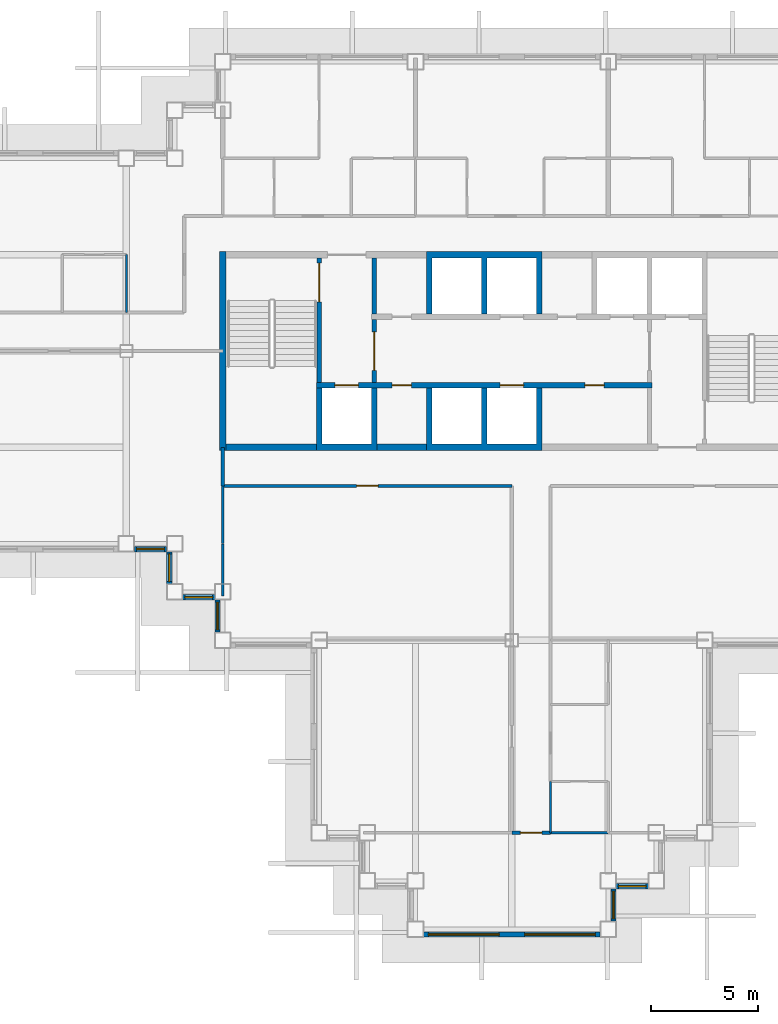
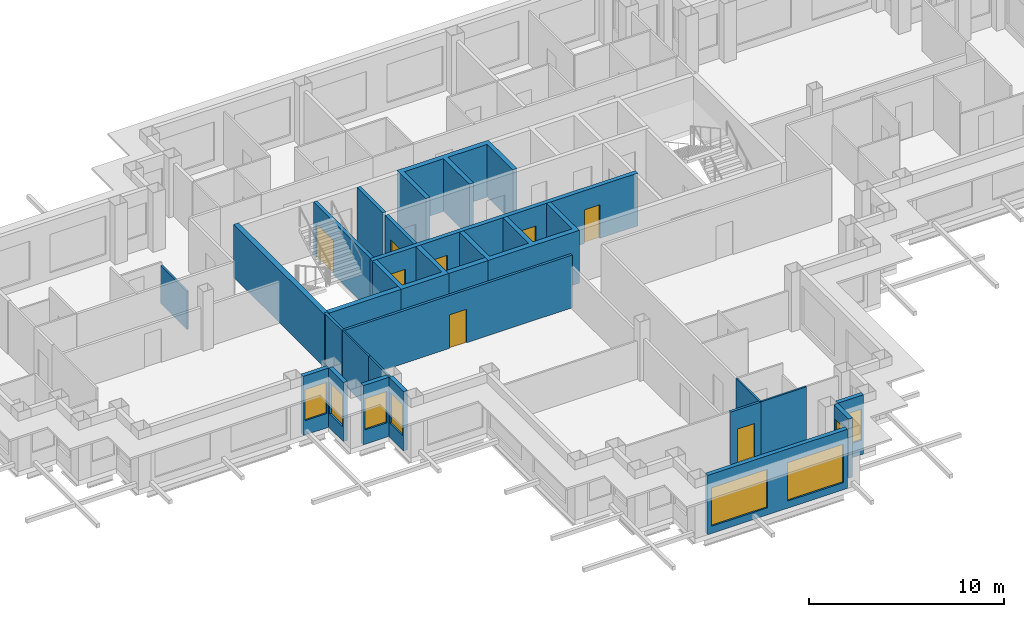
# One storey, part 4 of 14: 25 walls, 8 doors, 8 windows, 16 openings.
"""IFC4 building model written with IfcOpenShell, lengths in metres."""

from ifc_helpers import new_model, si_unit, direction, frame, frame_2d, origin, place, context, subcontext, project, spatial, polyline, rectangle, outline, extrude, material, layer, layer_set, type_object, element, fill, save


model = new_model("IFC4")

# Units and contexts
model_context = context("Model", 3, precision=1e-05, world=origin(), true_north=direction((0.0, 1.0)))
body_context = subcontext(model_context, "Body", "Model", "MODEL_VIEW")
ifc_project = project(units=[si_unit("LENGTHUNIT", "METRE"), si_unit("AREAUNIT", "SQUARE_METRE"), si_unit("VOLUMEUNIT", "CUBIC_METRE"), si_unit("PLANEANGLEUNIT", "RADIAN"), si_unit("MASSUNIT", "GRAM", prefix="KILO")], contexts=[model_context])

# Site, building, storey
site_placement = place(None, origin())
site = spatial("IfcSite", under=ifc_project, at=site_placement, CompositionType="ELEMENT")
building_placement = place(site_placement, origin())
building = spatial("IfcBuilding", under=site, at=building_placement, Name="Caravel Reach Hotel and Residences", CompositionType="ELEMENT")
storey_placement = place(building_placement, frame((0.0, 0.0, 183.89990234375)))
storey = spatial("IfcBuildingStorey", under=building, at=storey_placement, Name="L46", CompositionType="ELEMENT", Elevation=183.89990234375)

# Walls
ifc_material_1 = material(Name="Gypsum board on steel stud", Category="steel")
ifc_layer_1 = layer(ifc_material_1, 0.10009765625)
ifc_layer_set_1 = layer_set([ifc_layer_1], Name="Bathroom pod wall 100 mm")
wall_type_1 = type_object("IfcWallType", Name="Bathroom pod wall 100 mm", PredefinedType="PARTITIONING", material=ifc_layer_set_1)
wall_1_placement = place(storey_placement, frame((33.300048828125, 4.5, 0.0), z_axis=(0.0, 0.0, 1.0), x_axis=(1.0, 0.0, 0.0)))
element("IfcWall", 1, at=wall_1_placement, inside=storey, type_object=wall_type_1, Name="L46 wall w083", PredefinedType="PARTITIONING", context=body_context, shape_type="SweptSolid", body=[
    extrude(rectangle(XDim=2.699951171875, YDim=0.10009765625, at=frame_2d((1.35009765625, 0.0))), origin(), (0.0, 0.0, 1.0), 3.300048828125),
])
wall_2_placement = place(storey_placement, frame((33.300048828125, 4.5, 0.0), z_axis=(0.0, 0.0, 1.0), x_axis=(0.0, 1.0, 0.0)))
element("IfcWall", 2, at=wall_2_placement, inside=storey, type_object=wall_type_1, Name="L46 wall w090", PredefinedType="PARTITIONING", context=body_context, shape_type="SweptSolid", body=[
    extrude(rectangle(XDim=2.39990234375, YDim=0.10009765625, at=frame_2d((1.199951171875, 0.0))), origin(), (0.0, 0.0, 1.0), 3.300048828125),
])
ifc_material_2 = material(Name="Autoclaved aerated block wall")
ifc_layer_2 = layer(ifc_material_2, 0.199951171875)
ifc_layer_set_2 = layer_set([ifc_layer_2], Name="Compartment wall 200 mm EI 120")
wall_type_2 = type_object("IfcWallType", Name="Compartment wall 200 mm EI 120", PredefinedType="PARTITIONING", material=ifc_layer_set_2)
wall_3_placement = place(storey_placement, frame((25.071533203125, 28.72509765625, 0.0), z_axis=(0.0, 0.0, 1.0), x_axis=(0.0, 1.0, 0.0)))
element("IfcWall", 3, at=wall_3_placement, inside=storey, type_object=wall_type_2, Name="L46 store partition", PredefinedType="PARTITIONING", context=body_context, shape_type="SweptSolid", body=[
    extrude(rectangle(XDim=2.625, YDim=0.199951171875, at=frame_2d((1.3125, 0.0))), origin(), (0.0, 0.0, 1.0), 3.300048828125),
])
ifc_material_3 = material(Name="Concrete C60", Category="concrete")
ifc_layer_3 = layer(ifc_material_3, 0.300048828125)
ifc_layer_set_3 = layer_set([ifc_layer_3], Name="Core wall 300 mm EI 120")
wall_type_3 = type_object("IfcWallType", Name="Core wall 300 mm EI 120", PredefinedType="SHEAR", material=ifc_layer_set_3)
wall_4_placement = place(storey_placement, frame((18.14990234375, 22.5, 0.0), z_axis=(0.0, 0.0, 1.0), x_axis=(1.0, 0.0, 0.0)))
element("IfcWall", 4, at=wall_4_placement, inside=storey, type_object=wall_type_3, Name="L46 core wall S1", PredefinedType="SHEAR", context=body_context, shape_type="SweptSolid", body=[
    extrude(rectangle(XDim=4.22509765625, YDim=0.300048828125, at=frame_2d((2.112548828125, 0.0))), origin(), (0.0, 0.0, 1.0), 3.300048828125),
])
wall_5_placement = place(storey_placement, frame((25.196533203125, 22.5, 0.0), z_axis=(0.0, 0.0, 1.0), x_axis=(1.0, 0.0, 0.0)))
element("IfcWall", 5, at=wall_5_placement, inside=storey, type_object=wall_type_3, Name="L46 core wall S2", PredefinedType="SHEAR", context=body_context, shape_type="SweptSolid", body=[
    extrude(rectangle(XDim=2.3212890625, YDim=0.300048828125, at=frame_2d((1.16064453125, 0.0))), origin(), (0.0, 0.0, 1.0), 3.300048828125),
])
wall_6_placement = place(storey_placement, frame((18.0, 22.35009765625, 0.0), z_axis=(0.0, 0.0, 1.0), x_axis=(0.0, 1.0, 0.0)))
element("IfcWall", 6, at=wall_6_placement, inside=storey, type_object=wall_type_3, Name="L46 core wall W", PredefinedType="SHEAR", context=body_context, shape_type="SweptSolid", body=[
    extrude(rectangle(XDim=9.2998046875, YDim=0.300048828125, at=frame_2d((4.64990234375, 0.0))), origin(), (0.0, 0.0, 1.0), 3.300048828125),
])

# Wall, opening, door
ifc_material_4 = material(Name="Gypsum board on steel stud, fire-rated", Category="steel")
ifc_layer_4 = layer(ifc_material_4, 0.14990234375)
ifc_layer_set_4 = layer_set([ifc_layer_4], Name="Corridor wall 150 mm EI 60")
wall_type_4 = type_object("IfcWallType", Name="Corridor wall 150 mm EI 60", PredefinedType="PARTITIONING", material=ifc_layer_set_4)
wall_7_placement = place(storey_placement, frame((18.0, 20.699951171875, 0.0), z_axis=(0.0, 0.0, 1.0), x_axis=(1.0, 0.0, 0.0)))
wall_7 = element("IfcWall", 7, at=wall_7_placement, inside=storey, type_object=wall_type_4, Name="L46 wall w004", PredefinedType="PARTITIONING", context=body_context, shape_type="SweptSolid", body=[
    extrude(rectangle(XDim=13.5, YDim=0.14990234375, at=frame_2d((6.75, 0.0))), origin(), (0.0, 0.0, 1.0), 3.300048828125),
])
opening_1_placement = place(wall_7_placement, frame((6.25, 0.0, 0.0)))
opening_1 = element("IfcOpeningElement", 8, at=opening_1_placement, cuts=wall_7, Name="Opening D46-035", PredefinedType="OPENING", context=body_context, shape_type="SweptSolid", body=[
    extrude(rectangle(XDim=1.0, YDim=2.10009765625, at=frame_2d((0.5, 1.050048828125))), frame((0.0, 0.0849609375, 0.0), z_axis=(0.0, -1.0, 0.0), x_axis=(1.0, 0.0, 0.0)), (0.0, 0.0, 1.0), 0.169921875),
])
ifc_material_5 = material(Name="Steel fire door leaf", Category="steel")
door_type_1 = type_object("IfcDoorType", Name="Fire door 1000 x 2100 EI 60", OperationType="SINGLE_SWING_LEFT", PredefinedType="DOOR", material=ifc_material_5)
door_1_placement = place(opening_1_placement, origin())
door_1 = element("IfcDoor", 9, at=door_1_placement, inside=storey, type_object=door_type_1, Name="door D46-035", OperationType="SINGLE_SWING_LEFT", OverallHeight=2.10009765625, OverallWidth=1.0, PredefinedType="DOOR", context=body_context, shape_type="SweptSolid", body=[
    extrude(rectangle(XDim=1.0, YDim=2.10009765625, at=frame_2d((0.5, 1.050048828125))), frame((0.0, 0.02490234375, 0.0), z_axis=(0.0, -1.0, 0.0), x_axis=(1.0, 0.0, 0.0)), (0.0, 0.0, 1.0), 0.050048828125),
])
fill(opening_1, door_1)

wall_8_placement = place(storey_placement, frame((31.5, 4.5, 0.0), z_axis=(0.0, 0.0, 1.0), x_axis=(1.0, 0.0, 0.0)))
wall_8 = element("IfcWall", 10, at=wall_8_placement, inside=storey, type_object=wall_type_4, Name="L46 wall w020", PredefinedType="PARTITIONING", context=body_context, shape_type="SweptSolid", body=[
    extrude(rectangle(XDim=1.800048828125, YDim=0.14990234375, at=frame_2d((0.89990234375, 0.0))), origin(), (0.0, 0.0, 1.0), 3.300048828125),
])
opening_2_placement = place(wall_8_placement, frame((0.39990234375, 0.0, 0.0)))
opening_2 = element("IfcOpeningElement", 11, at=opening_2_placement, cuts=wall_8, Name="Opening D46-045", PredefinedType="OPENING", context=body_context, shape_type="SweptSolid", body=[
    extrude(rectangle(XDim=1.0, YDim=2.10009765625, at=frame_2d((0.5, 1.050048828125))), frame((0.0, 0.0849609375, 0.0), z_axis=(0.0, -1.0, 0.0), x_axis=(1.0, 0.0, 0.0)), (0.0, 0.0, 1.0), 0.169921875),
])
door_2_placement = place(opening_2_placement, origin())
door_2 = element("IfcDoor", 12, at=door_2_placement, inside=storey, type_object=door_type_1, Name="door D46-045", OperationType="SINGLE_SWING_LEFT", OverallHeight=2.10009765625, OverallWidth=1.0, PredefinedType="DOOR", context=body_context, shape_type="SweptSolid", body=[
    extrude(rectangle(XDim=1.0, YDim=2.10009765625, at=frame_2d((0.5, 1.050048828125))), frame((0.0, 0.02490234375, 0.0), z_axis=(0.0, -1.0, 0.0), x_axis=(1.0, 0.0, 0.0)), (0.0, 0.0, 1.0), 0.050048828125),
])
fill(opening_2, door_2)

# Wall
wall_9_placement = place(storey_placement, frame((18.0, 20.699951171875, 0.0), z_axis=(0.0, 0.0, 1.0), x_axis=(0.0, 1.0, 0.0)))
element("IfcWall", 13, at=wall_9_placement, inside=storey, type_object=wall_type_4, Name="L46 wall w022", PredefinedType="PARTITIONING", context=body_context, shape_type="SweptSolid", body=[
    extrude(rectangle(XDim=1.800048828125, YDim=0.14990234375, at=frame_2d((0.89990234375, 0.0))), origin(), (0.0, 0.0, 1.0), 3.300048828125),
])

# Wall, openings, windows
ifc_material_6 = material(Name="Insulated rainscreen wall, aluminium cladding", Category="aluminium")
ifc_layer_5 = layer(ifc_material_6, 0.25)
ifc_layer_set_5 = layer_set([ifc_layer_5], Name="EW1 Tower rainscreen wall")
wall_type_5 = type_object("IfcWallType", Name="EW1 Tower rainscreen wall", PredefinedType="SOLIDWALL", material=ifc_layer_set_5)
wall_10_placement = place(storey_placement, frame((27.375, -0.25, 0.0), z_axis=(0.0, 0.0, 1.0), x_axis=(1.0, 0.0, 0.0)))
wall_10 = element("IfcWall", 14, at=wall_10_placement, inside=storey, type_object=wall_type_5, Name="External wall L46 S5.1", PredefinedType="SOLIDWALL", context=body_context, shape_type="SweptSolid", body=[
    extrude(rectangle(XDim=8.25, YDim=0.25, at=frame_2d((4.125, 0.0))), origin(), (0.0, 0.0, 1.0), 3.7001953125),
])
opening_3_placement = place(wall_10_placement, frame((0.22509765625, 0.0, 0.449951171875)))
opening_3 = element("IfcOpeningElement", 15, at=opening_3_placement, cuts=wall_10, Name="Opening WN18", PredefinedType="OPENING", context=body_context, shape_type="SweptSolid", body=[
    extrude(rectangle(XDim=3.300048828125, YDim=2.39990234375, at=frame_2d((1.64990234375, 1.199951171875))), frame((0.0, 0.135009765625, 0.0), z_axis=(0.0, -1.0, 0.0), x_axis=(1.0, 0.0, 0.0)), (0.0, 0.0, 1.0), 0.27001953125),
])
opening_4_placement = place(wall_10_placement, frame((4.72509765625, 0.0, 0.449951171875)))
opening_4 = element("IfcOpeningElement", 16, at=opening_4_placement, cuts=wall_10, Name="Opening WN18", PredefinedType="OPENING", context=body_context, shape_type="SweptSolid", body=[
    extrude(rectangle(XDim=3.300048828125, YDim=2.39990234375, at=frame_2d((1.64990234375, 1.199951171875))), frame((0.0, 0.135009765625, 0.0), z_axis=(0.0, -1.0, 0.0), x_axis=(1.0, 0.0, 0.0)), (0.0, 0.0, 1.0), 0.27001953125),
])
ifc_material_7 = material(Name="Dark low-e glazing in black aluminium frame", Category="aluminium")
window_type_1 = type_object("IfcWindowType", Name="Residence living window 3300 x 2400", PartitioningType="SINGLE_PANEL", PredefinedType="WINDOW", material=ifc_material_7)
window_1_placement = place(opening_3_placement, origin())
window_1 = element("IfcWindow", 17, at=window_1_placement, inside=storey, type_object=window_type_1, Name="Window L46 S5.1.1", OverallHeight=2.39990234375, OverallWidth=3.300048828125, PartitioningType="SINGLE_PANEL", PredefinedType="WINDOW", context=body_context, shape_type="SweptSolid", body=[
    extrude(rectangle(XDim=3.300048828125, YDim=2.39990234375, at=frame_2d((1.64990234375, 1.199951171875))), frame((0.0, 0.030029296875, 0.0), z_axis=(0.0, -1.0, 0.0), x_axis=(1.0, 0.0, 0.0)), (0.0, 0.0, 1.0), 0.06005859375),
])
fill(opening_3, window_1)
window_2_placement = place(opening_4_placement, origin())
window_2 = element("IfcWindow", 18, at=window_2_placement, inside=storey, type_object=window_type_1, Name="Window L46 S5.1.2", OverallHeight=2.39990234375, OverallWidth=3.300048828125, PartitioningType="SINGLE_PANEL", PredefinedType="WINDOW", context=body_context, shape_type="SweptSolid", body=[
    extrude(rectangle(XDim=3.300048828125, YDim=2.39990234375, at=frame_2d((1.64990234375, 1.199951171875))), frame((0.0, 0.030029296875, 0.0), z_axis=(0.0, -1.0, 0.0), x_axis=(1.0, 0.0, 0.0)), (0.0, 0.0, 1.0), 0.06005859375),
])
fill(opening_4, window_2)

# Wall, opening, window
wall_11_placement = place(storey_placement, frame((36.25, 0.375, 0.0), z_axis=(0.0, 0.0, 1.0), x_axis=(0.0, 1.0, 0.0)))
wall_11 = element("IfcWall", 19, at=wall_11_placement, inside=storey, type_object=wall_type_5, Name="External wall L46 E6.1", PredefinedType="SOLIDWALL", context=body_context, shape_type="SweptSolid", body=[
    extrude(rectangle(XDim=1.5, YDim=0.25, at=frame_2d((0.75, 0.0))), origin(), (0.0, 0.0, 1.0), 3.7001953125),
])
opening_5_placement = place(wall_11_placement, frame((0.10009765625, 0.0, 0.89990234375)))
opening_5 = element("IfcOpeningElement", 20, at=opening_5_placement, cuts=wall_11, Name="Opening WN17", PredefinedType="OPENING", context=body_context, shape_type="SweptSolid", body=[
    extrude(rectangle(XDim=1.300048828125, YDim=1.949951171875, at=frame_2d((0.64990234375, 0.97509765625))), frame((0.0, 0.135009765625, 0.0), z_axis=(0.0, -1.0, 0.0), x_axis=(1.0, 0.0, 0.0)), (0.0, 0.0, 1.0), 0.27001953125),
])
ifc_material_8 = material(Name="Dark low-e glazing in black aluminium frame", Category="aluminium")
window_type_2 = type_object("IfcWindowType", Name="Residence bedroom window 1300 x 1950", PartitioningType="SINGLE_PANEL", PredefinedType="WINDOW", material=ifc_material_8)
window_3_placement = place(opening_5_placement, origin())
window_3 = element("IfcWindow", 21, at=window_3_placement, inside=storey, type_object=window_type_2, Name="Window L46 E6.1.1", OverallHeight=1.949951171875, OverallWidth=1.300048828125, PartitioningType="SINGLE_PANEL", PredefinedType="WINDOW", context=body_context, shape_type="SweptSolid", body=[
    extrude(rectangle(XDim=1.300048828125, YDim=1.949951171875, at=frame_2d((0.64990234375, 0.97509765625))), frame((0.0, 0.030029296875, 0.0), z_axis=(0.0, -1.0, 0.0), x_axis=(1.0, 0.0, 0.0)), (0.0, 0.0, 1.0), 0.06005859375),
])
fill(opening_5, window_3)

wall_12_placement = place(storey_placement, frame((36.375, 2.0, 0.0), z_axis=(0.0, 0.0, 1.0), x_axis=(1.0, 0.0, 0.0)))
wall_12 = element("IfcWall", 22, at=wall_12_placement, inside=storey, type_object=wall_type_5, Name="External wall L46 S7.1", PredefinedType="SOLIDWALL", context=body_context, shape_type="SweptSolid", body=[
    extrude(rectangle(XDim=1.5, YDim=0.25, at=frame_2d((0.75, 0.0))), origin(), (0.0, 0.0, 1.0), 3.7001953125),
])
opening_6_placement = place(wall_12_placement, frame((0.10009765625, 0.0, 0.89990234375)))
opening_6 = element("IfcOpeningElement", 23, at=opening_6_placement, cuts=wall_12, Name="Opening WN17", PredefinedType="OPENING", context=body_context, shape_type="SweptSolid", body=[
    extrude(rectangle(XDim=1.300048828125, YDim=1.949951171875, at=frame_2d((0.64990234375, 0.97509765625))), frame((0.0, 0.135009765625, 0.0), z_axis=(0.0, -1.0, 0.0), x_axis=(1.0, 0.0, 0.0)), (0.0, 0.0, 1.0), 0.27001953125),
])
window_4_placement = place(opening_6_placement, origin())
window_4 = element("IfcWindow", 24, at=window_4_placement, inside=storey, type_object=window_type_2, Name="Window L46 S7.1.1", OverallHeight=1.949951171875, OverallWidth=1.300048828125, PartitioningType="SINGLE_PANEL", PredefinedType="WINDOW", context=body_context, shape_type="SweptSolid", body=[
    extrude(rectangle(XDim=1.300048828125, YDim=1.949951171875, at=frame_2d((0.64990234375, 0.97509765625))), frame((0.0, 0.030029296875, 0.0), z_axis=(0.0, -1.0, 0.0), x_axis=(1.0, 0.0, 0.0)), (0.0, 0.0, 1.0), 0.06005859375),
])
fill(opening_6, window_4)

wall_13_placement = place(storey_placement, frame((13.875, 17.75, 0.0), z_axis=(0.0, 0.0, 1.0), x_axis=(1.0, 0.0, 0.0)))
wall_13 = element("IfcWall", 25, at=wall_13_placement, inside=storey, type_object=wall_type_5, Name="External wall L46 S43.2", PredefinedType="SOLIDWALL", context=body_context, shape_type="SweptSolid", body=[
    extrude(rectangle(XDim=1.5, YDim=0.25, at=frame_2d((0.75, 0.0))), origin(), (0.0, 0.0, 1.0), 3.7001953125),
])
opening_7_placement = place(wall_13_placement, frame((0.10009765625, 0.0, 0.89990234375)))
opening_7 = element("IfcOpeningElement", 26, at=opening_7_placement, cuts=wall_13, Name="Opening WN17", PredefinedType="OPENING", context=body_context, shape_type="SweptSolid", body=[
    extrude(rectangle(XDim=1.300048828125, YDim=1.949951171875, at=frame_2d((0.64990234375, 0.97509765625))), frame((0.0, 0.135009765625, 0.0), z_axis=(0.0, -1.0, 0.0), x_axis=(1.0, 0.0, 0.0)), (0.0, 0.0, 1.0), 0.27001953125),
])
window_5_placement = place(opening_7_placement, origin())
window_5 = element("IfcWindow", 27, at=window_5_placement, inside=storey, type_object=window_type_2, Name="Window L46 S43.2.1", OverallHeight=1.949951171875, OverallWidth=1.300048828125, PartitioningType="SINGLE_PANEL", PredefinedType="WINDOW", context=body_context, shape_type="SweptSolid", body=[
    extrude(rectangle(XDim=1.300048828125, YDim=1.949951171875, at=frame_2d((0.64990234375, 0.97509765625))), frame((0.0, 0.030029296875, 0.0), z_axis=(0.0, -1.0, 0.0), x_axis=(1.0, 0.0, 0.0)), (0.0, 0.0, 1.0), 0.06005859375),
])
fill(opening_7, window_5)

wall_14_placement = place(storey_placement, frame((15.5, 17.625, 0.0), z_axis=(0.0, 0.0, 1.0), x_axis=(0.0, -1.0, 0.0)))
wall_14 = element("IfcWall", 28, at=wall_14_placement, inside=storey, type_object=wall_type_5, Name="External wall L46 W44.1", PredefinedType="SOLIDWALL", context=body_context, shape_type="SweptSolid", body=[
    extrude(rectangle(XDim=1.5, YDim=0.25, at=frame_2d((0.75, 0.0))), origin(), (0.0, 0.0, 1.0), 3.7001953125),
])
opening_8_placement = place(wall_14_placement, frame((0.10009765625, 0.0, 0.89990234375)))
opening_8 = element("IfcOpeningElement", 29, at=opening_8_placement, cuts=wall_14, Name="Opening WN17", PredefinedType="OPENING", context=body_context, shape_type="SweptSolid", body=[
    extrude(rectangle(XDim=1.300048828125, YDim=1.949951171875, at=frame_2d((0.64990234375, 0.97509765625))), frame((0.0, 0.135009765625, 0.0), z_axis=(0.0, -1.0, 0.0), x_axis=(1.0, 0.0, 0.0)), (0.0, 0.0, 1.0), 0.27001953125),
])
window_6_placement = place(opening_8_placement, origin())
window_6 = element("IfcWindow", 30, at=window_6_placement, inside=storey, type_object=window_type_2, Name="Window L46 W44.1.1", OverallHeight=1.949951171875, OverallWidth=1.300048828125, PartitioningType="SINGLE_PANEL", PredefinedType="WINDOW", context=body_context, shape_type="SweptSolid", body=[
    extrude(rectangle(XDim=1.300048828125, YDim=1.949951171875, at=frame_2d((0.64990234375, 0.97509765625))), frame((0.0, 0.030029296875, 0.0), z_axis=(0.0, -1.0, 0.0), x_axis=(1.0, 0.0, 0.0)), (0.0, 0.0, 1.0), 0.06005859375),
])
fill(opening_8, window_6)

wall_15_placement = place(storey_placement, frame((16.125, 15.5, 0.0), z_axis=(0.0, 0.0, 1.0), x_axis=(1.0, 0.0, 0.0)))
wall_15 = element("IfcWall", 31, at=wall_15_placement, inside=storey, type_object=wall_type_5, Name="External wall L46 S45.1", PredefinedType="SOLIDWALL", context=body_context, shape_type="SweptSolid", body=[
    extrude(rectangle(XDim=1.5, YDim=0.25, at=frame_2d((0.75, 0.0))), origin(), (0.0, 0.0, 1.0), 3.7001953125),
])
opening_9_placement = place(wall_15_placement, frame((0.10009765625, 0.0, 0.89990234375)))
opening_9 = element("IfcOpeningElement", 32, at=opening_9_placement, cuts=wall_15, Name="Opening WN17", PredefinedType="OPENING", context=body_context, shape_type="SweptSolid", body=[
    extrude(rectangle(XDim=1.300048828125, YDim=1.949951171875, at=frame_2d((0.64990234375, 0.97509765625))), frame((0.0, 0.135009765625, 0.0), z_axis=(0.0, -1.0, 0.0), x_axis=(1.0, 0.0, 0.0)), (0.0, 0.0, 1.0), 0.27001953125),
])
window_7_placement = place(opening_9_placement, origin())
window_7 = element("IfcWindow", 33, at=window_7_placement, inside=storey, type_object=window_type_2, Name="Window L46 S45.1.1", OverallHeight=1.949951171875, OverallWidth=1.300048828125, PartitioningType="SINGLE_PANEL", PredefinedType="WINDOW", context=body_context, shape_type="SweptSolid", body=[
    extrude(rectangle(XDim=1.300048828125, YDim=1.949951171875, at=frame_2d((0.64990234375, 0.97509765625))), frame((0.0, 0.030029296875, 0.0), z_axis=(0.0, -1.0, 0.0), x_axis=(1.0, 0.0, 0.0)), (0.0, 0.0, 1.0), 0.06005859375),
])
fill(opening_9, window_7)

wall_16_placement = place(storey_placement, frame((17.75, 15.375, 0.0), z_axis=(0.0, 0.0, 1.0), x_axis=(0.0, -1.0, 0.0)))
wall_16 = element("IfcWall", 34, at=wall_16_placement, inside=storey, type_object=wall_type_5, Name="External wall L46 W46.1", PredefinedType="SOLIDWALL", context=body_context, shape_type="SweptSolid", body=[
    extrude(rectangle(XDim=1.5, YDim=0.25, at=frame_2d((0.75, 0.0))), origin(), (0.0, 0.0, 1.0), 3.7001953125),
])
opening_10_placement = place(wall_16_placement, frame((0.10009765625, 0.0, 0.89990234375)))
opening_10 = element("IfcOpeningElement", 35, at=opening_10_placement, cuts=wall_16, Name="Opening WN17", PredefinedType="OPENING", context=body_context, shape_type="SweptSolid", body=[
    extrude(rectangle(XDim=1.300048828125, YDim=1.949951171875, at=frame_2d((0.64990234375, 0.97509765625))), frame((0.0, 0.135009765625, 0.0), z_axis=(0.0, -1.0, 0.0), x_axis=(1.0, 0.0, 0.0)), (0.0, 0.0, 1.0), 0.27001953125),
])
window_8_placement = place(opening_10_placement, origin())
window_8 = element("IfcWindow", 36, at=window_8_placement, inside=storey, type_object=window_type_2, Name="Window L46 W46.1.1", OverallHeight=1.949951171875, OverallWidth=1.300048828125, PartitioningType="SINGLE_PANEL", PredefinedType="WINDOW", context=body_context, shape_type="SweptSolid", body=[
    extrude(rectangle(XDim=1.300048828125, YDim=1.949951171875, at=frame_2d((0.64990234375, 0.97509765625))), frame((0.0, 0.030029296875, 0.0), z_axis=(0.0, -1.0, 0.0), x_axis=(1.0, 0.0, 0.0)), (0.0, 0.0, 1.0), 0.06005859375),
])
fill(opening_10, window_8)

# Wall, opening, door
ifc_material_9 = material(Name="Autoclaved aerated block wall")
ifc_layer_6 = layer(ifc_material_9, 0.199951171875)
ifc_layer_set_6 = layer_set([ifc_layer_6], Name="Fire lobby wall 200 mm EI 120")
wall_type_6 = type_object("IfcWallType", Name="Fire lobby wall 200 mm EI 120", PredefinedType="PARTITIONING", material=ifc_layer_set_6)
wall_17_placement = place(storey_placement, frame((25.071533203125, 25.52490234375, 0.0), z_axis=(0.0, 0.0, 1.0), x_axis=(0.0, 1.0, 0.0)))
wall_17 = element("IfcWall", 37, at=wall_17_placement, inside=storey, type_object=wall_type_6, Name="L46 lobby W wall", PredefinedType="PARTITIONING", context=body_context, shape_type="SweptSolid", body=[
    extrude(rectangle(XDim=2.9501953125, YDim=0.199951171875, at=frame_2d((1.47509765625, 0.0))), origin(), (0.0, 0.0, 1.0), 3.300048828125),
])
opening_11_placement = place(wall_17_placement, frame((0.574951171875, 0.0, 0.0)))
opening_11 = element("IfcOpeningElement", 38, at=opening_11_placement, cuts=wall_17, Name="Opening D46-012", PredefinedType="OPENING", context=body_context, shape_type="SweptSolid", body=[
    extrude(rectangle(XDim=1.800048828125, YDim=2.10009765625, at=frame_2d((0.89990234375, 1.050048828125))), frame((0.0, 0.10986328125, 0.0), z_axis=(0.0, -1.0, 0.0), x_axis=(1.0, 0.0, 0.0)), (0.0, 0.0, 1.0), 0.219970703125),
])
ifc_material_10 = material(Name="Steel fire door leaf", Category="steel")
door_type_2 = type_object("IfcDoorType", Name="Fire lobby door pair 1800 x 2100 EI 90", OperationType="DOUBLE_DOOR_SINGLE_SWING", PredefinedType="DOOR", material=ifc_material_10)
door_3_placement = place(opening_11_placement, origin())
door_3 = element("IfcDoor", 39, at=door_3_placement, inside=storey, type_object=door_type_2, Name="lobby W door pair", OperationType="DOUBLE_DOOR_SINGLE_SWING", OverallHeight=2.10009765625, OverallWidth=1.800048828125, PredefinedType="DOOR", context=body_context, shape_type="SweptSolid", body=[
    extrude(rectangle(XDim=1.800048828125, YDim=2.10009765625, at=frame_2d((0.89990234375, 1.050048828125))), frame((0.0, 0.02490234375, 0.0), z_axis=(0.0, -1.0, 0.0), x_axis=(1.0, 0.0, 0.0)), (0.0, 0.0, 1.0), 0.050048828125),
])
fill(opening_11, door_3)

# Walls
ifc_material_11 = material(Name="Gypsum board on steel stud", Category="steel")
ifc_layer_7 = layer(ifc_material_11, 0.10009765625)
ifc_layer_set_7 = layer_set([ifc_layer_7], Name="Partition 100 mm")
wall_type_7 = type_object("IfcWallType", Name="Partition 100 mm", PredefinedType="PARTITIONING", material=ifc_layer_set_7)
wall_18_placement = place(storey_placement, frame((13.5, 28.801025390625, 0.0), z_axis=(0.0, 0.0, 1.0), x_axis=(0.0, 1.0, 0.0)))
element("IfcWall", 40, at=wall_18_placement, inside=storey, type_object=wall_type_7, Name="L46 wall w051", PredefinedType="PARTITIONING", context=body_context, shape_type="SweptSolid", body=[
    extrude(rectangle(XDim=2.698974609375, YDim=0.10009765625, at=frame_2d((1.349609375, 0.0))), origin(), (0.0, 0.0, 1.0), 2.380126953125),
])
wall_19_placement = place(storey_placement, frame((18.0, 15.56005859375, 0.0), z_axis=(0.0, 0.0, 1.0), x_axis=(0.0, 1.0, 0.0)))
element("IfcWall", 41, at=wall_19_placement, inside=storey, type_object=wall_type_7, Name="L46 wall w052", PredefinedType="PARTITIONING", context=body_context, shape_type="SweptSolid", body=[
    extrude(rectangle(XDim=2.43896484375, YDim=0.10009765625, at=frame_2d((1.219482421875, 0.0))), origin(), (0.0, 0.0, 1.0), 3.300048828125),
])
wall_20_placement = place(storey_placement, frame((18.0, 18.0, 0.0), z_axis=(0.0, 0.0, 1.0), x_axis=(0.0, 1.0, 0.0)))
element("IfcWall", 42, at=wall_20_placement, inside=storey, type_object=wall_type_7, Name="L46 wall w053", PredefinedType="PARTITIONING", context=body_context, shape_type="SweptSolid", body=[
    extrude(rectangle(XDim=2.699951171875, YDim=0.10009765625, at=frame_2d((1.35009765625, 0.0))), origin(), (0.0, 0.0, 1.0), 3.300048828125),
])
ifc_material_12 = material(Name="Concrete C60", Category="concrete")
ifc_layer_8 = layer(ifc_material_12, 0.25)
ifc_layer_set_8 = layer_set([ifc_layer_8], Name="Shaft wall 250 mm EI 120")
wall_type_8 = type_object("IfcWallType", Name="Shaft wall 250 mm EI 120", PredefinedType="SHEAR", material=ifc_layer_set_8)
wall_21_placement = place(storey_placement, origin())
element("IfcWall", 43, at=wall_21_placement, inside=storey, type_object=wall_type_8, Name="L46 lift shaft wall S1", PredefinedType="SHEAR", context=body_context, shape_type="SweptSolid", body=[
    extrude(outline(polyline([(22.375, 22.35009765625), (25.196533203125, 22.35009765625), (25.196533203125, 25.27490234375), (24.946533203125, 25.27490234375), (24.946533203125, 22.64990234375), (22.625, 22.64990234375), (22.625, 25.27490234375), (22.375, 25.27490234375), (22.375, 22.35009765625)])), origin(), (0.0, 0.0, 1.0), 3.300048828125),
])
wall_22_placement = place(storey_placement, origin())
element("IfcWall", 44, at=wall_22_placement, inside=storey, type_object=wall_type_8, Name="L46 lift shaft wall S2", PredefinedType="SHEAR", context=body_context, shape_type="SweptSolid", body=[
    extrude(outline(polyline([(27.517822265625, 22.35009765625), (32.91064453125, 22.35009765625), (32.91064453125, 25.27490234375), (32.66064453125, 25.27490234375), (32.66064453125, 22.64990234375), (30.33935546875, 22.64990234375), (30.33935546875, 25.27490234375), (30.08935546875, 25.27490234375), (30.08935546875, 22.64990234375), (27.767822265625, 22.64990234375), (27.767822265625, 25.27490234375), (27.517822265625, 25.27490234375), (27.517822265625, 22.35009765625)])), origin(), (0.0, 0.0, 1.0), 3.300048828125),
])
wall_23_placement = place(storey_placement, origin())
element("IfcWall", 45, at=wall_23_placement, inside=storey, type_object=wall_type_8, Name="L46 lift shaft wall N1", PredefinedType="SHEAR", context=body_context, shape_type="SweptSolid", body=[
    extrude(outline(polyline([(27.517822265625, 28.72509765625), (27.767822265625, 28.72509765625), (27.767822265625, 31.35009765625), (30.08935546875, 31.35009765625), (30.08935546875, 28.72509765625), (30.33935546875, 28.72509765625), (30.33935546875, 31.35009765625), (32.66064453125, 31.35009765625), (32.66064453125, 28.72509765625), (32.91064453125, 28.72509765625), (32.91064453125, 31.64990234375), (27.517822265625, 31.64990234375), (27.517822265625, 28.72509765625)])), origin(), (0.0, 0.0, 1.0), 3.300048828125),
])

# Wall, openings, doors
wall_24_placement = place(storey_placement, frame((22.375, 25.39990234375, 0.0), z_axis=(0.0, 0.0, 1.0), x_axis=(1.0, 0.0, 0.0)))
wall_24 = element("IfcWall", 46, at=wall_24_placement, inside=storey, type_object=wall_type_8, Name="L46 lobby wall S1", PredefinedType="SHEAR", context=body_context, shape_type="SweptSolid", body=[
    extrude(rectangle(XDim=15.678466796875, YDim=0.25, at=frame_2d((7.83935546875, 0.0))), origin(), (0.0, 0.0, 1.0), 3.300048828125),
])
opening_12_placement = place(wall_24_placement, frame((8.574951171875, 0.0, 0.0)))
opening_12 = element("IfcOpeningElement", 47, at=opening_12_placement, cuts=wall_24, Name="Opening D46-001", PredefinedType="OPENING", context=body_context, shape_type="SweptSolid", body=[
    extrude(rectangle(XDim=1.10009765625, YDim=2.10009765625, at=frame_2d((0.550048828125, 1.050048828125))), frame((0.0, 0.135009765625, 0.0), z_axis=(0.0, -1.0, 0.0), x_axis=(1.0, 0.0, 0.0)), (0.0, 0.0, 1.0), 0.27001953125),
])
opening_13_placement = place(wall_24_placement, frame((0.860595703125, 0.0, 0.0)))
opening_13 = element("IfcOpeningElement", 48, at=opening_13_placement, cuts=wall_24, Name="Opening D46-004", PredefinedType="OPENING", context=body_context, shape_type="SweptSolid", body=[
    extrude(rectangle(XDim=1.10009765625, YDim=2.10009765625, at=frame_2d((0.550048828125, 1.050048828125))), frame((0.0, 0.135009765625, 0.0), z_axis=(0.0, -1.0, 0.0), x_axis=(1.0, 0.0, 0.0)), (0.0, 0.0, 1.0), 0.27001953125),
])
opening_14_placement = place(wall_24_placement, frame((3.531982421875, 0.0, 0.0)))
opening_14 = element("IfcOpeningElement", 49, at=opening_14_placement, cuts=wall_24, Name="Opening D46-006", PredefinedType="OPENING", context=body_context, shape_type="SweptSolid", body=[
    extrude(rectangle(XDim=0.89990234375, YDim=2.10009765625, at=frame_2d((0.449951171875, 1.050048828125))), frame((0.0, 0.135009765625, 0.0), z_axis=(0.0, -1.0, 0.0), x_axis=(1.0, 0.0, 0.0)), (0.0, 0.0, 1.0), 0.27001953125),
])
opening_15_placement = place(wall_24_placement, frame((12.531982421875, 0.0, 0.0)))
opening_15 = element("IfcOpeningElement", 50, at=opening_15_placement, cuts=wall_24, Name="Opening D46-007", PredefinedType="OPENING", context=body_context, shape_type="SweptSolid", body=[
    extrude(rectangle(XDim=0.89990234375, YDim=2.10009765625, at=frame_2d((0.449951171875, 1.050048828125))), frame((0.0, 0.135009765625, 0.0), z_axis=(0.0, -1.0, 0.0), x_axis=(1.0, 0.0, 0.0)), (0.0, 0.0, 1.0), 0.27001953125),
])
ifc_material_13 = material(Name="Stainless steel landing door", Category="steel")
door_type_3 = type_object("IfcDoorType", Name="Landing door LD 1100 x 2100 sliding", OperationType="DOUBLE_DOOR_SLIDING", PredefinedType="DOOR", material=ifc_material_13)
door_4_placement = place(opening_12_placement, origin())
door_4 = element("IfcDoor", 51, at=door_4_placement, inside=storey, type_object=door_type_3, Name="MP1 landing door", OperationType="DOUBLE_DOOR_SLIDING", OverallHeight=2.10009765625, OverallWidth=1.10009765625, PredefinedType="DOOR", context=body_context, shape_type="SweptSolid", body=[
    extrude(rectangle(XDim=1.10009765625, YDim=2.10009765625, at=frame_2d((0.550048828125, 1.050048828125))), frame((0.0, 0.02490234375, 0.0), z_axis=(0.0, -1.0, 0.0), x_axis=(1.0, 0.0, 0.0)), (0.0, 0.0, 1.0), 0.050048828125),
])
fill(opening_12, door_4)
door_5_placement = place(opening_13_placement, origin())
door_5 = element("IfcDoor", 52, at=door_5_placement, inside=storey, type_object=door_type_3, Name="FL1 landing door", OperationType="DOUBLE_DOOR_SLIDING", OverallHeight=2.10009765625, OverallWidth=1.10009765625, PredefinedType="DOOR", context=body_context, shape_type="SweptSolid", body=[
    extrude(rectangle(XDim=1.10009765625, YDim=2.10009765625, at=frame_2d((0.550048828125, 1.050048828125))), frame((0.0, 0.02490234375, 0.0), z_axis=(0.0, -1.0, 0.0), x_axis=(1.0, 0.0, 0.0)), (0.0, 0.0, 1.0), 0.050048828125),
])
fill(opening_13, door_5)
ifc_material_14 = material(Name="Steel fire door leaf", Category="steel")
door_type_4 = type_object("IfcDoorType", Name="Riser door 900 x 2100 EI 60", OperationType="SINGLE_SWING_LEFT", PredefinedType="DOOR", material=ifc_material_14)
door_6_placement = place(opening_14_placement, origin())
door_6 = element("IfcDoor", 53, at=door_6_placement, inside=storey, type_object=door_type_4, Name="Mail store door", OperationType="SINGLE_SWING_LEFT", OverallHeight=2.10009765625, OverallWidth=0.89990234375, PredefinedType="DOOR", context=body_context, shape_type="SweptSolid", body=[
    extrude(rectangle(XDim=0.89990234375, YDim=2.10009765625, at=frame_2d((0.449951171875, 1.050048828125))), frame((0.0, 0.02490234375, 0.0), z_axis=(0.0, -1.0, 0.0), x_axis=(1.0, 0.0, 0.0)), (0.0, 0.0, 1.0), 0.050048828125),
])
fill(opening_14, door_6)
door_7_placement = place(opening_15_placement, origin())
door_7 = element("IfcDoor", 54, at=door_7_placement, inside=storey, type_object=door_type_4, Name="Package store door", OperationType="SINGLE_SWING_LEFT", OverallHeight=2.10009765625, OverallWidth=0.89990234375, PredefinedType="DOOR", context=body_context, shape_type="SweptSolid", body=[
    extrude(rectangle(XDim=0.89990234375, YDim=2.10009765625, at=frame_2d((0.449951171875, 1.050048828125))), frame((0.0, 0.02490234375, 0.0), z_axis=(0.0, -1.0, 0.0), x_axis=(1.0, 0.0, 0.0)), (0.0, 0.0, 1.0), 0.050048828125),
])
fill(opening_15, door_7)

# Wall, opening, door
ifc_material_15 = material(Name="Concrete C60", Category="concrete")
ifc_layer_9 = layer(ifc_material_15, 0.199951171875)
ifc_layer_set_9 = layer_set([ifc_layer_9], Name="Stair enclosure wall 200 mm EI 120")
wall_type_9 = type_object("IfcWallType", Name="Stair enclosure wall 200 mm EI 120", PredefinedType="SHEAR", material=ifc_layer_set_9)
wall_25_placement = place(storey_placement, frame((22.5, 31.35009765625, 0.0), z_axis=(0.0, 0.0, 1.0), x_axis=(0.0, -1.0, 0.0)))
wall_25 = element("IfcWall", 55, at=wall_25_placement, inside=storey, type_object=wall_type_9, Name="L46 stair A wall", PredefinedType="SHEAR", context=body_context, shape_type="SweptSolid", body=[
    extrude(rectangle(XDim=5.8251953125, YDim=0.199951171875, at=frame_2d((2.91259765625, 0.0))), origin(), (0.0, 0.0, 1.0), 3.300048828125),
])
opening_16_placement = place(wall_25_placement, frame((0.25, 0.0, 0.0)))
opening_16 = element("IfcOpeningElement", 56, at=opening_16_placement, cuts=wall_25, Name="Opening D46-010", PredefinedType="OPENING", context=body_context, shape_type="SweptSolid", body=[
    extrude(rectangle(XDim=1.800048828125, YDim=2.10009765625, at=frame_2d((0.89990234375, 1.050048828125))), frame((0.0, 0.10986328125, 0.0), z_axis=(0.0, -1.0, 0.0), x_axis=(1.0, 0.0, 0.0)), (0.0, 0.0, 1.0), 0.219970703125),
])
ifc_material_16 = material(Name="Steel fire door leaf", Category="steel")
door_type_5 = type_object("IfcDoorType", Name="Stair door pair 1800 x 2100 EI 90", OperationType="DOUBLE_DOOR_SINGLE_SWING", PredefinedType="DOOR", material=ifc_material_16)
door_8_placement = place(opening_16_placement, origin())
door_8 = element("IfcDoor", 57, at=door_8_placement, inside=storey, type_object=door_type_5, Name="stair A door pair", OperationType="DOUBLE_DOOR_SINGLE_SWING", OverallHeight=2.10009765625, OverallWidth=1.800048828125, PredefinedType="DOOR", context=body_context, shape_type="SweptSolid", body=[
    extrude(rectangle(XDim=1.800048828125, YDim=2.10009765625, at=frame_2d((0.89990234375, 1.050048828125))), frame((0.0, 0.02490234375, 0.0), z_axis=(0.0, -1.0, 0.0), x_axis=(1.0, 0.0, 0.0)), (0.0, 0.0, 1.0), 0.050048828125),
])
fill(opening_16, door_8)

save(model, "model.ifc")
